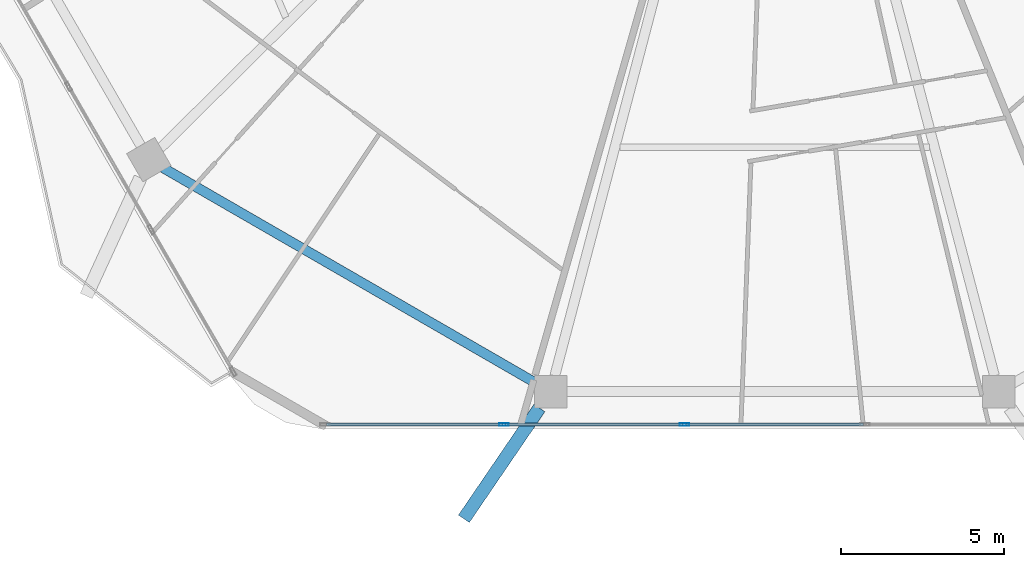
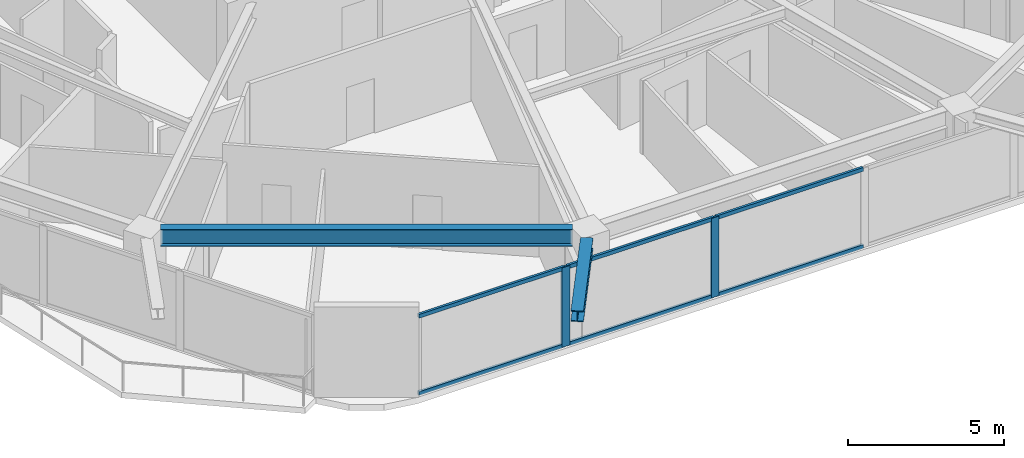
# One storey, part 3 of 26: 8 members, 2 beams, 1 element without a shape of its own.
"""IFC4 building model written with IfcOpenShell, lengths in metres."""

from ifc_helpers import new_model, si_unit, direction, frame, origin, origin_2d, place, context, subcontext, project, spatial, hollow_rectangle, i_section, extrude, material, material_profile, profile_set, type_object, element, aggregate, save


model = new_model("IFC4")

# Units and contexts
model_context = context("Model", 3, precision=1e-05, world=origin(), true_north=direction((0.0, 1.0)))
body_context = subcontext(model_context, "Body", "Model", "MODEL_VIEW")
ifc_project = project(units=[si_unit("LENGTHUNIT", "METRE"), si_unit("AREAUNIT", "SQUARE_METRE"), si_unit("VOLUMEUNIT", "CUBIC_METRE"), si_unit("PLANEANGLEUNIT", "RADIAN"), si_unit("MASSUNIT", "GRAM", prefix="KILO")], contexts=[model_context])

# Site, building, storey
site_placement = place(None, origin())
site = spatial("IfcSite", under=ifc_project, at=site_placement, CompositionType="ELEMENT")
building_placement = place(site_placement, origin())
building = spatial("IfcBuilding", under=site, at=building_placement, Name="Zuhravey Tower", CompositionType="ELEMENT")
storey_placement = place(building_placement, frame((0.0, 0.0, 158.0)))
storey = spatial("IfcBuildingStorey", under=building, at=storey_placement, Name="L39", CompositionType="ELEMENT", Elevation=158.0)

# Curtain wall, members
ifc_material_1 = material(Name="Thermally broken anodised aluminium", Category="aluminium")
curtain_wall_type = type_object("IfcCurtainWallType", Name="Zone 1-2 Residential Curtain Wall CW3", PredefinedType="NOTDEFINED", material=ifc_material_1)
curtain_wall_placement = place(storey_placement, origin())
curtain_wall = element("IfcCurtainWall", 1, at=curtain_wall_placement, inside=storey, type_object=curtain_wall_type, Name="L39 CW3 CW-L39-F5-1", PredefinedType="NOTDEFINED")
ifc_material_2 = material(Name="Anodised aluminium", Category="aluminium")
ifc_material_profile_1 = material_profile(ifc_material_2, hollow_rectangle(XDim=0.090087890625, YDim=0.284912109375, WallThickness=0.0048828125, at=origin_2d()), Name="ALU-RHS-90x285x5")
ifc_profile_set_1 = profile_set([ifc_material_profile_1], Name="Anodised aluminium")
member_type_1 = type_object("IfcMemberType", Name="Curtain-Wall Mullion 90x180", PredefinedType="MULLION", material=ifc_profile_set_1)
member_1_placement = place(storey_placement, frame((33.227783203125, 4.81689453125, 0.0), z_axis=(0.0, 0.0, 1.0), x_axis=(0.0, -1.0, 0.0)))
member_1 = element("IfcMember", 2, at=member_1_placement, type_object=member_type_1, Name="CW3 mullion 4", PredefinedType="MULLION", context=body_context, shape_type="SweptSolid", body=[
    extrude(hollow_rectangle(XDim=0.090087890625, YDim=0.284912109375, WallThickness=0.0048828125, at=origin_2d()), origin(), (0.0, 0.0, 1.0), 3.1220703125),
])
member_2_placement = place(storey_placement, frame((27.683349609375, 4.81689453125, 0.0), z_axis=(0.0, 0.0, 1.0), x_axis=(0.0, -1.0, 0.0)))
member_2 = element("IfcMember", 3, at=member_2_placement, type_object=member_type_1, Name="CW3 mullion 5", PredefinedType="MULLION", context=body_context, shape_type="SweptSolid", body=[
    extrude(hollow_rectangle(XDim=0.090087890625, YDim=0.284912109375, WallThickness=0.0048828125, at=origin_2d()), origin(), (0.0, 0.0, 1.0), 3.1220703125),
])
ifc_material_profile_2 = material_profile(ifc_material_2, hollow_rectangle(XDim=0.090087890625, YDim=0.14990234375, WallThickness=0.0048828125, at=origin_2d()), Name="ALU-RHS-90x150x5")
ifc_profile_set_2 = profile_set([ifc_material_profile_2], Name="Anodised aluminium")
member_type_2 = type_object("IfcMemberType", Name="Curtain-Wall Transom 90x150", PredefinedType="USERDEFINED", material=ifc_profile_set_2)
member_3_placement = place(storey_placement, frame((38.727294921875, 4.81689453125, 0.044921875), z_axis=(-1.0, 0.0, 0.0), x_axis=(0.0, -1.0, 0.0)))
member_3 = element("IfcMember", 4, at=member_3_placement, type_object=member_type_2, Name="CW3 transom 3.1", ObjectType="TRANSOM", PredefinedType="USERDEFINED", context=body_context, shape_type="SweptSolid", body=[
    extrude(hollow_rectangle(XDim=0.090087890625, YDim=0.14990234375, WallThickness=0.0048828125, at=origin_2d()), origin(), (0.0, 0.0, 1.0), 5.45458984375),
])
member_4_placement = place(storey_placement, frame((38.727294921875, 4.81689453125, 3.076904296875), z_axis=(-1.0, 0.0, 0.0), x_axis=(0.0, -1.0, 0.0)))
member_4 = element("IfcMember", 5, at=member_4_placement, type_object=member_type_2, Name="CW3 transom 3.2", ObjectType="TRANSOM", PredefinedType="USERDEFINED", context=body_context, shape_type="SweptSolid", body=[
    extrude(hollow_rectangle(XDim=0.090087890625, YDim=0.14990234375, WallThickness=0.0048828125, at=origin_2d()), origin(), (0.0, 0.0, 1.0), 5.45458984375),
])
member_5_placement = place(storey_placement, frame((33.182861328125, 4.81689453125, 0.044921875), z_axis=(-1.0, 0.0, 0.0), x_axis=(0.0, -1.0, 0.0)))
member_5 = element("IfcMember", 6, at=member_5_placement, type_object=member_type_2, Name="CW3 transom 4.1", ObjectType="TRANSOM", PredefinedType="USERDEFINED", context=body_context, shape_type="SweptSolid", body=[
    extrude(hollow_rectangle(XDim=0.090087890625, YDim=0.14990234375, WallThickness=0.0048828125, at=origin_2d()), origin(), (0.0, 0.0, 1.0), 5.45458984375),
])
member_6_placement = place(storey_placement, frame((33.182861328125, 4.81689453125, 3.076904296875), z_axis=(-1.0, 0.0, 0.0), x_axis=(0.0, -1.0, 0.0)))
member_6 = element("IfcMember", 7, at=member_6_placement, type_object=member_type_2, Name="CW3 transom 4.2", ObjectType="TRANSOM", PredefinedType="USERDEFINED", context=body_context, shape_type="SweptSolid", body=[
    extrude(hollow_rectangle(XDim=0.090087890625, YDim=0.14990234375, WallThickness=0.0048828125, at=origin_2d()), origin(), (0.0, 0.0, 1.0), 5.45458984375),
])
member_7_placement = place(storey_placement, frame((27.638427734375, 4.81689453125, 0.044921875), z_axis=(-1.0, 0.0, 0.0), x_axis=(0.0, -1.0, 0.0)))
member_7 = element("IfcMember", 8, at=member_7_placement, type_object=member_type_2, Name="CW3 transom 5.1", ObjectType="TRANSOM", PredefinedType="USERDEFINED", context=body_context, shape_type="SweptSolid", body=[
    extrude(hollow_rectangle(XDim=0.090087890625, YDim=0.14990234375, WallThickness=0.0048828125, at=origin_2d()), origin(), (0.0, 0.0, 1.0), 5.409423828125),
])
member_8_placement = place(storey_placement, frame((27.638427734375, 4.81689453125, 3.076904296875), z_axis=(-1.0, 0.0, 0.0), x_axis=(0.0, -1.0, 0.0)))
member_8 = element("IfcMember", 9, at=member_8_placement, type_object=member_type_2, Name="CW3 transom 5.2", ObjectType="TRANSOM", PredefinedType="USERDEFINED", context=body_context, shape_type="SweptSolid", body=[
    extrude(hollow_rectangle(XDim=0.090087890625, YDim=0.14990234375, WallThickness=0.0048828125, at=origin_2d()), origin(), (0.0, 0.0, 1.0), 5.409423828125),
])
aggregate(curtain_wall, [member_1, member_2, member_3, member_4, member_5, member_6, member_7, member_8])

# Beams
ifc_material_3 = material(Name="Steel SM460", Category="steel")
ifc_material_profile_3 = material_profile(ifc_material_3, i_section(OverallWidth=0.406982421875, OverallDepth=0.427978515625, WebThickness=0.02001953125, FlangeThickness=0.034912109375, at=origin_2d()), Name="H-428x407x20x35")
ifc_profile_set_3 = profile_set([ifc_material_profile_3], Name="Steel SM460")
beam_type_1 = type_object("IfcBeamType", Name="Exoskeleton Node Tie Beam H428x407", PredefinedType="BEAM", material=ifc_profile_set_3)
beam_1_placement = place(storey_placement, frame((28.77490234375, 5.323486328125, 3.3359375), z_axis=(-0.563406685621, -0.826179705995, 0.0), x_axis=(0.826179705995, -0.563406685621, 0.0)))
element("IfcBeam", 10, at=beam_1_placement, inside=storey, type_object=beam_type_1, Name="L39 Exoskeleton Node Tie NT1-09", PredefinedType="BEAM", context=body_context, shape_type="SweptSolid", body=[
    extrude(i_section(OverallWidth=0.406982421875, OverallDepth=0.427978515625, WebThickness=0.02001953125, FlangeThickness=0.034912109375, at=origin_2d()), origin(), (0.0, 0.0, 1.0), 4.12060546875),
])
ifc_material_4 = material(Name="Steel SM355", Category="steel")
ifc_material_profile_4 = material_profile(ifc_material_4, i_section(OverallWidth=0.300048828125, OverallDepth=0.679931640625, WebThickness=0.012939453125, FlangeThickness=0.02197265625, at=origin_2d()), Name="H-680x300x13x22")
ifc_profile_set_4 = profile_set([ifc_material_profile_4], Name="Steel SM355")
beam_type_2 = type_object("IfcBeamType", Name="Perimeter Ring Beam H680x300", PredefinedType="BEAM", material=ifc_profile_set_4)
beam_2_placement = place(storey_placement, frame((17.210205078125, 12.701904296875, 3.2099609375), z_axis=(0.866022923061, -0.500004296715, 0.0), x_axis=(0.500004296715, 0.866022923061, 0.0)))
element("IfcBeam", 11, at=beam_2_placement, inside=storey, type_object=beam_type_2, Name="L39 PB2 BM-L39-PB-08", PredefinedType="BEAM", context=body_context, shape_type="SweptSolid", body=[
    extrude(i_section(OverallWidth=0.300048828125, OverallDepth=0.679931640625, WebThickness=0.012939453125, FlangeThickness=0.02197265625, at=origin_2d()), origin(), (0.0, 0.0, 1.0), 13.2470703125),
])

save(model, "model.ifc")
